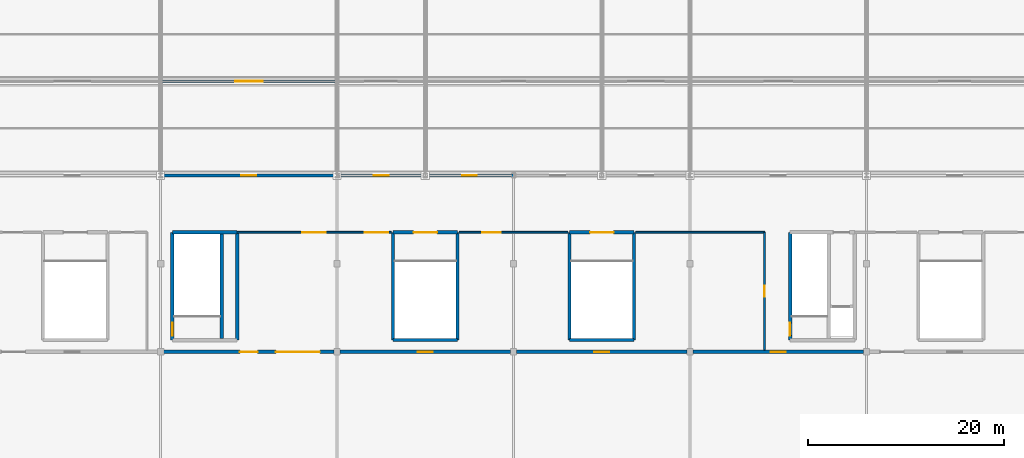
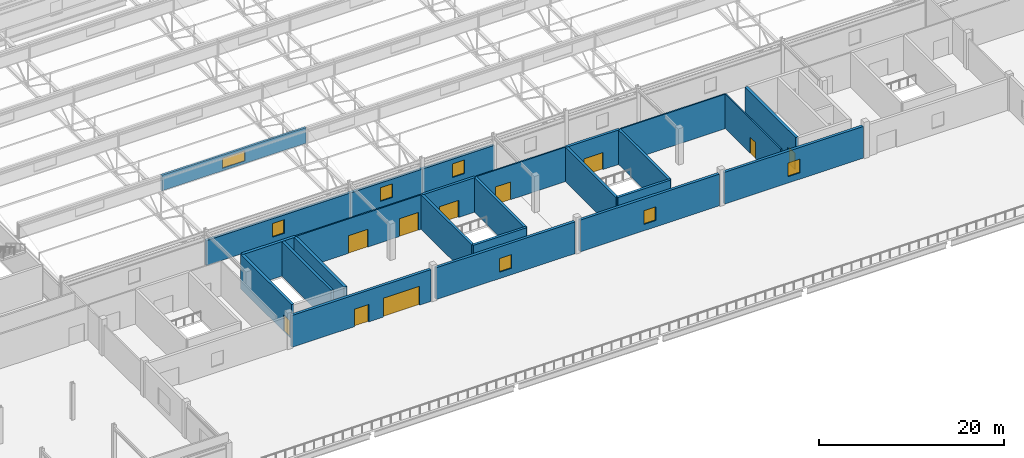
# One storey, part 97 of 136: 25 walls, 10 doors, 7 windows, 17 openings.
"""IFC4 building model written with IfcOpenShell, lengths in metres."""

from ifc_helpers import new_model, si_unit, direction, frame, frame_2d, origin, place, context, subcontext, project, spatial, rectangle, extrude, material, layer, layer_set, type_object, element, fill, save


model = new_model("IFC4")

# Units and contexts
model_context = context("Model", 3, precision=1e-05, world=origin(), true_north=direction((0.0, 1.0)))
body_context = subcontext(model_context, "Body", "Model", "MODEL_VIEW")
ifc_project = project(units=[si_unit("LENGTHUNIT", "METRE"), si_unit("AREAUNIT", "SQUARE_METRE"), si_unit("VOLUMEUNIT", "CUBIC_METRE"), si_unit("PLANEANGLEUNIT", "RADIAN"), si_unit("MASSUNIT", "GRAM", prefix="KILO")], contexts=[model_context])

# Site, building, storey
site_placement = place(None, origin())
site = spatial("IfcSite", under=ifc_project, at=site_placement, CompositionType="ELEMENT")
building_placement = place(site_placement, origin())
building = spatial("IfcBuilding", under=site, at=building_placement, Name="Kisiwana Market Hall", CompositionType="ELEMENT")
storey_placement = place(building_placement, frame((0.0, 0.0, 16.800048828125)))
storey = spatial("IfcBuildingStorey", under=building, at=storey_placement, Name="L03", CompositionType="ELEMENT", Elevation=16.800048828125)

# Walls
ifc_material_1 = material(Name="Concrete C40/50", Category="concrete")
ifc_layer_1 = layer(ifc_material_1, 0.320068359375, Name="Reinforced concrete shaft wall")
ifc_layer_set_1 = layer_set([ifc_layer_1], Name="WL-CORE-320")
wall_type_1 = type_object("IfcWallType", Name="WL-CORE-320", PredefinedType="SHEAR", material=ifc_layer_set_1)
wall_1_placement = place(storey_placement, frame((69.239990234375, 19.3798828125, 0.0), z_axis=(0.0, 0.0, 1.0), x_axis=(0.0, 1.0, 0.0)))
element("IfcWall", 1, at=wall_1_placement, inside=storey, type_object=wall_type_1, Name="Core S1 shaft divider W-1224", PredefinedType="SHEAR", context=body_context, shape_type="SweptSolid", body=[
    extrude(rectangle(XDim=10.64013671875, YDim=0.320068359375, at=frame_2d((5.320068359375, 0.0))), origin(), (0.0, 0.0, 1.0), 4.554931640625),
])
wall_2_placement = place(storey_placement, frame((86.699951171875, 19.199951171875, 0.0), z_axis=(0.0, 0.0, 1.0), x_axis=(1.0, 0.0, 0.0)))
element("IfcWall", 2, at=wall_2_placement, inside=storey, type_object=wall_type_1, Name="Core S4 outer shear wall W-1314", PredefinedType="SHEAR", context=body_context, shape_type="SweptSolid", body=[
    extrude(rectangle(XDim=6.60009765625, YDim=0.320068359375, at=frame_2d((3.300048828125, 0.0))), origin(), (0.0, 0.0, 1.0), 4.554931640625),
])

# Wall, opening, door
wall_3_placement = place(storey_placement, frame((86.699951171875, 30.199951171875, 0.0), z_axis=(0.0, 0.0, 1.0), x_axis=(1.0, 0.0, 0.0)))
wall_3 = element("IfcWall", 3, at=wall_3_placement, inside=storey, type_object=wall_type_1, Name="Core S4 corridor shear wall W-1315", PredefinedType="SHEAR", context=body_context, shape_type="SweptSolid", body=[
    extrude(rectangle(XDim=6.60009765625, YDim=0.320068359375, at=frame_2d((3.300048828125, 0.0))), origin(), (0.0, 0.0, 1.0), 4.554931640625),
])
opening_1_placement = place(wall_3_placement, frame((2.10009765625, 0.0, 0.0)))
opening_1 = element("IfcOpeningElement", 4, at=opening_1_placement, cuts=wall_3, Name="Opening DR-L03-035", PredefinedType="OPENING", context=body_context, shape_type="SweptSolid", body=[
    extrude(rectangle(XDim=2.39990234375, YDim=2.25, at=frame_2d((1.199951171875, 1.125))), frame((0.0, 0.171875, 0.0), z_axis=(0.0, -1.0, 0.0), x_axis=(1.0, 0.0, 0.0)), (0.0, 0.0, 1.0), 0.343994140625),
])
ifc_material_2 = material(Name="Steel S275", Category="steel")
door_type_1 = type_object("IfcDoorType", Name="DR-STAIR-FD120-2400", OperationType="DOUBLE_DOOR_SINGLE_SWING", PredefinedType="DOOR", material=ifc_material_2)
door_1_placement = place(opening_1_placement, frame((2.39990234375, 0.0, 0.0), z_axis=(0.0, 0.0, 1.0), x_axis=(-1.0, 0.0, 0.0)))
door_1 = element("IfcDoor", 5, at=door_1_placement, inside=storey, type_object=door_type_1, Name="Escape Stair S4 Fire Door (L03)", OperationType="DOUBLE_DOOR_SINGLE_SWING", OverallHeight=2.25, OverallWidth=2.39990234375, PredefinedType="DOOR", context=body_context, shape_type="SweptSolid", body=[
    extrude(rectangle(XDim=2.39990234375, YDim=2.25, at=frame_2d((1.199951171875, 1.125))), frame((0.0, 0.02490234375, 0.0), z_axis=(0.0, -1.0, 0.0), x_axis=(1.0, 0.0, 0.0)), (0.0, 0.0, 1.0), 0.050048828125),
])
fill(opening_1, door_1)

# Walls
for number, where, z_axis, x_axis, name in (
    (6, (86.699951171875, 19.199951171875, 0.0), (0.0, 0.0, 1.0), (0.0, 1.0, 0.0), "Core S4 west shear wall W-1316"),
    (7, (93.300048828125, 19.199951171875, 0.0), (0.0, 0.0, 1.0), (0.0, 1.0, 0.0), "Core S4 east shear wall W-1317"),
):
    element("IfcWall", number, at=place(storey_placement, frame(where, z_axis=z_axis, x_axis=x_axis)), inside=storey, type_object=wall_type_1, Name=name, PredefinedType="SHEAR", context=body_context, shape_type="SweptSolid", body=[
        extrude(rectangle(XDim=11.0, YDim=0.320068359375, at=frame_2d((5.5, 0.0))), origin(), (0.0, 0.0, 1.0), 4.554931640625),
    ])
wall_4_placement = place(storey_placement, frame((104.699951171875, 19.199951171875, 0.0), z_axis=(0.0, 0.0, 1.0), x_axis=(1.0, 0.0, 0.0)))
element("IfcWall", 8, at=wall_4_placement, inside=storey, type_object=wall_type_1, Name="Core S5 outer shear wall W-1322", PredefinedType="SHEAR", context=body_context, shape_type="SweptSolid", body=[
    extrude(rectangle(XDim=6.60009765625, YDim=0.320068359375, at=frame_2d((3.300048828125, 0.0))), origin(), (0.0, 0.0, 1.0), 4.554931640625),
])

# Wall, opening, door
wall_5_placement = place(storey_placement, frame((104.699951171875, 30.199951171875, 0.0), z_axis=(0.0, 0.0, 1.0), x_axis=(1.0, 0.0, 0.0)))
wall_5 = element("IfcWall", 9, at=wall_5_placement, inside=storey, type_object=wall_type_1, Name="Core S5 corridor shear wall W-1323", PredefinedType="SHEAR", context=body_context, shape_type="SweptSolid", body=[
    extrude(rectangle(XDim=6.60009765625, YDim=0.320068359375, at=frame_2d((3.300048828125, 0.0))), origin(), (0.0, 0.0, 1.0), 4.554931640625),
])
opening_2_placement = place(wall_5_placement, frame((2.10009765625, 0.0, 0.0)))
opening_2 = element("IfcOpeningElement", 10, at=opening_2_placement, cuts=wall_5, Name="Opening DR-L03-037", PredefinedType="OPENING", context=body_context, shape_type="SweptSolid", body=[
    extrude(rectangle(XDim=2.39990234375, YDim=2.25, at=frame_2d((1.199951171875, 1.125))), frame((0.0, 0.171875, 0.0), z_axis=(0.0, -1.0, 0.0), x_axis=(1.0, 0.0, 0.0)), (0.0, 0.0, 1.0), 0.343994140625),
])
door_2_placement = place(opening_2_placement, frame((2.39990234375, 0.0, 0.0), z_axis=(0.0, 0.0, 1.0), x_axis=(-1.0, 0.0, 0.0)))
door_2 = element("IfcDoor", 11, at=door_2_placement, inside=storey, type_object=door_type_1, Name="Escape Stair S5 Fire Door (L03)", OperationType="DOUBLE_DOOR_SINGLE_SWING", OverallHeight=2.25, OverallWidth=2.39990234375, PredefinedType="DOOR", context=body_context, shape_type="SweptSolid", body=[
    extrude(rectangle(XDim=2.39990234375, YDim=2.25, at=frame_2d((1.199951171875, 1.125))), frame((0.0, 0.02490234375, 0.0), z_axis=(0.0, -1.0, 0.0), x_axis=(1.0, 0.0, 0.0)), (0.0, 0.0, 1.0), 0.050048828125),
])
fill(opening_2, door_2)

# Walls
for number, where, z_axis, x_axis, name in (
    (12, (104.699951171875, 19.199951171875, 0.0), (0.0, 0.0, 1.0), (0.0, 1.0, 0.0), "Core S5 west shear wall W-1324"),
    (13, (111.300048828125, 19.199951171875, 0.0), (0.0, 0.0, 1.0), (0.0, 1.0, 0.0), "Core S5 east shear wall W-1325"),
):
    element("IfcWall", number, at=place(storey_placement, frame(where, z_axis=z_axis, x_axis=x_axis)), inside=storey, type_object=wall_type_1, Name=name, PredefinedType="SHEAR", context=body_context, shape_type="SweptSolid", body=[
        extrude(rectangle(XDim=11.0, YDim=0.320068359375, at=frame_2d((5.5, 0.0))), origin(), (0.0, 0.0, 1.0), 4.554931640625),
    ])
ifc_material_3 = material(Name="Concrete C40/50", Category="concrete")
ifc_layer_2 = layer(ifc_material_3, 0.360107421875, Name="Reinforced concrete core wall")
ifc_layer_set_2 = layer_set([ifc_layer_2], Name="WL-CORE-360")
wall_type_2 = type_object("IfcWallType", Name="WL-CORE-360", PredefinedType="SHEAR", material=ifc_layer_set_2)
wall_6_placement = place(storey_placement, frame((64.199951171875, 30.199951171875, 0.0), z_axis=(0.0, 0.0, 1.0), x_axis=(1.0, 0.0, 0.0)))
element("IfcWall", 14, at=wall_6_placement, inside=storey, type_object=wall_type_2, Name="Core S1 north wall W-1221", PredefinedType="SHEAR", context=body_context, shape_type="SweptSolid", body=[
    extrude(rectangle(XDim=6.60009765625, YDim=0.360107421875, at=frame_2d((3.300048828125, 0.0))), origin(), (0.0, 0.0, 1.0), 4.554931640625),
])

# Wall, opening, door
wall_7_placement = place(storey_placement, frame((64.199951171875, 19.199951171875, 0.0), z_axis=(0.0, 0.0, 1.0), x_axis=(0.0, 1.0, 0.0)))
wall_7 = element("IfcWall", 15, at=wall_7_placement, inside=storey, type_object=wall_type_2, Name="Core S1 west wall W-1222", PredefinedType="SHEAR", context=body_context, shape_type="SweptSolid", body=[
    extrude(rectangle(XDim=11.0, YDim=0.360107421875, at=frame_2d((5.5, 0.0))), origin(), (0.0, 0.0, 1.0), 4.554931640625),
])
opening_3_placement = place(wall_7_placement, frame((0.449951171875, 0.0, 0.0)))
opening_3 = element("IfcOpeningElement", 16, at=opening_3_placement, cuts=wall_7, Name="Opening DR-L03-013", PredefinedType="OPENING", context=body_context, shape_type="SweptSolid", body=[
    extrude(rectangle(XDim=1.300048828125, YDim=2.199951171875, at=frame_2d((0.64990234375, 1.10009765625))), frame((0.0, 0.19189453125, 0.0), z_axis=(0.0, -1.0, 0.0), x_axis=(1.0, 0.0, 0.0)), (0.0, 0.0, 1.0), 0.384033203125),
])
ifc_material_4 = material(Name="Steel S275", Category="steel")
door_type_2 = type_object("IfcDoorType", Name="DR-STAIR-FD120-1300", OperationType="NOTDEFINED", PredefinedType="DOOR", material=ifc_material_4)
door_3_placement = place(opening_3_placement, origin())
door_3 = element("IfcDoor", 17, at=door_3_placement, inside=storey, type_object=door_type_2, Name="Podium Escape Stair S1 Fire Door (L03)", OperationType="SINGLE_SWING_LEFT", OverallHeight=2.199951171875, OverallWidth=1.300048828125, PredefinedType="DOOR", context=body_context, shape_type="SweptSolid", body=[
    extrude(rectangle(XDim=1.300048828125, YDim=2.199951171875, at=frame_2d((0.64990234375, 1.10009765625))), frame((0.0, 0.02490234375, 0.0), z_axis=(0.0, -1.0, 0.0), x_axis=(1.0, 0.0, 0.0)), (0.0, 0.0, 1.0), 0.050048828125),
])
fill(opening_3, door_3)

# Wall
wall_8_placement = place(storey_placement, frame((70.800048828125, 19.199951171875, 0.0), z_axis=(0.0, 0.0, 1.0), x_axis=(0.0, 1.0, 0.0)))
element("IfcWall", 18, at=wall_8_placement, inside=storey, type_object=wall_type_2, Name="Core S1 east wall W-1223", PredefinedType="SHEAR", context=body_context, shape_type="SweptSolid", body=[
    extrude(rectangle(XDim=11.0, YDim=0.360107421875, at=frame_2d((5.5, 0.0))), origin(), (0.0, 0.0, 1.0), 4.554931640625),
])

# Wall, opening, door
wall_9_placement = place(storey_placement, frame((127.199951171875, 19.199951171875, 0.0), z_axis=(0.0, 0.0, 1.0), x_axis=(0.0, 1.0, 0.0)))
wall_9 = element("IfcWall", 19, at=wall_9_placement, inside=storey, type_object=wall_type_2, Name="Core S2 west wall W-1227", PredefinedType="SHEAR", context=body_context, shape_type="SweptSolid", body=[
    extrude(rectangle(XDim=11.0, YDim=0.360107421875, at=frame_2d((5.5, 0.0))), origin(), (0.0, 0.0, 1.0), 4.554931640625),
])
opening_4_placement = place(wall_9_placement, frame((0.449951171875, 0.0, 0.0)))
opening_4 = element("IfcOpeningElement", 20, at=opening_4_placement, cuts=wall_9, Name="Opening DR-L03-014", PredefinedType="OPENING", context=body_context, shape_type="SweptSolid", body=[
    extrude(rectangle(XDim=1.300048828125, YDim=2.199951171875, at=frame_2d((0.64990234375, 1.10009765625))), frame((0.0, 0.19189453125, 0.0), z_axis=(0.0, -1.0, 0.0), x_axis=(1.0, 0.0, 0.0)), (0.0, 0.0, 1.0), 0.384033203125),
])
door_4_placement = place(opening_4_placement, origin())
door_4 = element("IfcDoor", 21, at=door_4_placement, inside=storey, type_object=door_type_2, Name="Podium Escape Stair S2 Fire Door (L03)", OperationType="SINGLE_SWING_LEFT", OverallHeight=2.199951171875, OverallWidth=1.300048828125, PredefinedType="DOOR", context=body_context, shape_type="SweptSolid", body=[
    extrude(rectangle(XDim=1.300048828125, YDim=2.199951171875, at=frame_2d((0.64990234375, 1.10009765625))), frame((0.0, 0.02490234375, 0.0), z_axis=(0.0, -1.0, 0.0), x_axis=(1.0, 0.0, 0.0)), (0.0, 0.0, 1.0), 0.050048828125),
])
fill(opening_4, door_4)

ifc_material_5 = material(Name="Masonry blockwork", Category="masonry")
ifc_layer_3 = layer(ifc_material_5, 0.169921875, Name="Protected corridor partition")
ifc_layer_set_3 = layer_set([ifc_layer_3], Name="WL-CORR-170")
wall_type_3 = type_object("IfcWallType", Name="WL-CORR-170", PredefinedType="PARTITIONING", material=ifc_layer_set_3)
wall_10_placement = place(storey_placement, frame((124.60009765625, 18.169921875, 0.0), z_axis=(0.0, 0.0, 1.0), x_axis=(0.0, 1.0, 0.0)))
wall_10 = element("IfcWall", 22, at=wall_10_placement, inside=storey, type_object=wall_type_3, Name="Interior partition W-1495", PredefinedType="PARTITIONING", context=body_context, shape_type="SweptSolid", body=[
    extrude(rectangle(XDim=12.030029296875, YDim=0.169921875, at=frame_2d((6.01513671875, 0.0))), origin(), (0.0, 0.0, 1.0), 4.554931640625),
])
opening_5_placement = place(wall_10_placement, frame((5.449951171875, 0.0, 0.0)))
opening_5 = element("IfcOpeningElement", 23, at=opening_5_placement, cuts=wall_10, Name="Opening DR-L03-088", PredefinedType="OPENING", context=body_context, shape_type="SweptSolid", body=[
    extrude(rectangle(XDim=1.14990234375, YDim=2.14990234375, at=frame_2d((0.574951171875, 1.074951171875))), frame((0.0, 0.096923828125, 0.0), z_axis=(0.0, -1.0, 0.0), x_axis=(1.0, 0.0, 0.0)), (0.0, 0.0, 1.0), 0.19384765625),
])
ifc_material_6 = material(Name="Aluminium alloy 6063-T6", Category="aluminium")
door_type_3 = type_object("IfcDoorType", Name="DR-MEET-1150", OperationType="NOTDEFINED", PredefinedType="DOOR", material=ifc_material_6)
door_5_placement = place(opening_5_placement, origin())
door_5 = element("IfcDoor", 24, at=door_5_placement, inside=storey, type_object=door_type_3, Name="L03 E South Podium Seminar Room Door", OperationType="SINGLE_SWING_LEFT", OverallHeight=2.14990234375, OverallWidth=1.14990234375, PredefinedType="DOOR", context=body_context, shape_type="SweptSolid", body=[
    extrude(rectangle(XDim=1.14990234375, YDim=2.14990234375, at=frame_2d((0.574951171875, 1.074951171875))), frame((0.0, 0.02490234375, 0.0), z_axis=(0.0, -1.0, 0.0), x_axis=(1.0, 0.0, 0.0)), (0.0, 0.0, 1.0), 0.050048828125),
])
fill(opening_5, door_5)

# Wall, openings, doors
wall_11_placement = place(storey_placement, frame((70.800048828125, 30.199951171875, 0.0), z_axis=(0.0, 0.0, 1.0), x_axis=(1.0, 0.0, 0.0)))
wall_11 = element("IfcWall", 25, at=wall_11_placement, inside=storey, type_object=wall_type_3, Name="Interior partition W-1496", PredefinedType="PARTITIONING", context=body_context, shape_type="SweptSolid", body=[
    extrude(rectangle(XDim=15.739990234375, YDim=0.169921875, at=frame_2d((7.8701171875, 0.0))), origin(), (0.0, 0.0, 1.0), 4.554931640625),
])
opening_6_placement = place(wall_11_placement, frame((13.0, 0.0, 0.0)))
opening_6 = element("IfcOpeningElement", 26, at=opening_6_placement, cuts=wall_11, Name="Opening DR-L03-089", PredefinedType="OPENING", context=body_context, shape_type="SweptSolid", body=[
    extrude(rectangle(XDim=2.39990234375, YDim=2.35009765625, at=frame_2d((1.199951171875, 1.175048828125))), frame((0.0, 0.096923828125, 0.0), z_axis=(0.0, -1.0, 0.0), x_axis=(1.0, 0.0, 0.0)), (0.0, 0.0, 1.0), 0.19384765625),
])
opening_7_placement = place(wall_11_placement, frame((6.669921875, 0.0, 0.0)))
opening_7 = element("IfcOpeningElement", 27, at=opening_7_placement, cuts=wall_11, Name="Opening DR-L03-090", PredefinedType="OPENING", context=body_context, shape_type="SweptSolid", body=[
    extrude(rectangle(XDim=2.39990234375, YDim=2.35009765625, at=frame_2d((1.199951171875, 1.175048828125))), frame((0.0, 0.096923828125, 0.0), z_axis=(0.0, -1.0, 0.0), x_axis=(1.0, 0.0, 0.0)), (0.0, 0.0, 1.0), 0.19384765625),
])
ifc_material_7 = material(Name="Steel S275", Category="steel")
door_type_4 = type_object("IfcDoorType", Name="DR-HALL-2400", OperationType="DOUBLE_DOOR_SINGLE_SWING", PredefinedType="DOOR", material=ifc_material_7)
door_6_placement = place(opening_6_placement, frame((2.39990234375, 0.0, 0.0), z_axis=(0.0, 0.0, 1.0), x_axis=(-1.0, 0.0, 0.0)))
door_6 = element("IfcDoor", 28, at=door_6_placement, inside=storey, type_object=door_type_4, Name="L03 South Seminar Room Second Door", OperationType="DOUBLE_DOOR_SINGLE_SWING", OverallHeight=2.35009765625, OverallWidth=2.39990234375, PredefinedType="DOOR", context=body_context, shape_type="SweptSolid", body=[
    extrude(rectangle(XDim=2.39990234375, YDim=2.35009765625, at=frame_2d((1.199951171875, 1.175048828125))), frame((0.0, 0.02490234375, 0.0), z_axis=(0.0, -1.0, 0.0), x_axis=(1.0, 0.0, 0.0)), (0.0, 0.0, 1.0), 0.050048828125),
])
fill(opening_6, door_6)
door_7_placement = place(opening_7_placement, frame((2.39990234375, 0.0, 0.0), z_axis=(0.0, 0.0, 1.0), x_axis=(-1.0, 0.0, 0.0)))
door_7 = element("IfcDoor", 29, at=door_7_placement, inside=storey, type_object=door_type_4, Name="L03 South Seminar Room Third Door", OperationType="DOUBLE_DOOR_SINGLE_SWING", OverallHeight=2.35009765625, OverallWidth=2.39990234375, PredefinedType="DOOR", context=body_context, shape_type="SweptSolid", body=[
    extrude(rectangle(XDim=2.39990234375, YDim=2.35009765625, at=frame_2d((1.199951171875, 1.175048828125))), frame((0.0, 0.02490234375, 0.0), z_axis=(0.0, -1.0, 0.0), x_axis=(1.0, 0.0, 0.0)), (0.0, 0.0, 1.0), 0.050048828125),
])
fill(opening_7, door_7)

# Wall, opening, door
wall_12_placement = place(storey_placement, frame((93.4599609375, 30.199951171875, 0.0), z_axis=(0.0, 0.0, 1.0), x_axis=(1.0, 0.0, 0.0)))
wall_12 = element("IfcWall", 30, at=wall_12_placement, inside=storey, type_object=wall_type_3, Name="Interior partition W-1497", PredefinedType="PARTITIONING", context=body_context, shape_type="SweptSolid", body=[
    extrude(rectangle(XDim=11.080078125, YDim=0.169921875, at=frame_2d((5.5400390625, 0.0))), origin(), (0.0, 0.0, 1.0), 4.554931640625),
])
opening_8_placement = place(wall_12_placement, frame((2.340087890625, 0.0, 0.0)))
opening_8 = element("IfcOpeningElement", 31, at=opening_8_placement, cuts=wall_12, Name="Opening DR-L03-091", PredefinedType="OPENING", context=body_context, shape_type="SweptSolid", body=[
    extrude(rectangle(XDim=1.89990234375, YDim=2.35009765625, at=frame_2d((0.949951171875, 1.175048828125))), frame((0.0, 0.096923828125, 0.0), z_axis=(0.0, -1.0, 0.0), x_axis=(1.0, 0.0, 0.0)), (0.0, 0.0, 1.0), 0.19384765625),
])
ifc_material_8 = material(Name="Steel S275", Category="steel")
door_type_5 = type_object("IfcDoorType", Name="DR-HALL-1900", OperationType="DOUBLE_DOOR_SINGLE_SWING", PredefinedType="DOOR", material=ifc_material_8)
door_8_placement = place(opening_8_placement, frame((1.89990234375, 0.0, 0.0), z_axis=(0.0, 0.0, 1.0), x_axis=(-1.0, 0.0, 0.0)))
door_8 = element("IfcDoor", 32, at=door_8_placement, inside=storey, type_object=door_type_5, Name="L03 South Seminar Room Door", OperationType="DOUBLE_DOOR_SINGLE_SWING", OverallHeight=2.35009765625, OverallWidth=1.89990234375, PredefinedType="DOOR", context=body_context, shape_type="SweptSolid", body=[
    extrude(rectangle(XDim=1.89990234375, YDim=2.35009765625, at=frame_2d((0.949951171875, 1.175048828125))), frame((0.0, 0.02490234375, 0.0), z_axis=(0.0, -1.0, 0.0), x_axis=(1.0, 0.0, 0.0)), (0.0, 0.0, 1.0), 0.050048828125),
])
fill(opening_8, door_8)

# Wall
wall_13_placement = place(storey_placement, frame((111.4599609375, 30.199951171875, 0.0), z_axis=(0.0, 0.0, 1.0), x_axis=(1.0, 0.0, 0.0)))
element("IfcWall", 33, at=wall_13_placement, inside=storey, type_object=wall_type_3, Name="Interior partition W-1498", PredefinedType="PARTITIONING", context=body_context, shape_type="SweptSolid", body=[
    extrude(rectangle(XDim=13.14013671875, YDim=0.169921875, at=frame_2d((6.570068359375, 0.0))), origin(), (0.0, 0.0, 1.0), 4.554931640625),
])

# Wall, opening, window
ifc_material_9 = material(Name="Aluminium alloy 6063-T6", Category="aluminium")
ifc_layer_4 = layer(ifc_material_9, 0.06005859375, Name="Insulated metal-clad clerestory wall")
ifc_material_10 = material(Name="Mineral wool insulation")
ifc_layer_5 = layer(ifc_material_10, 0.10009765625, Name="Mineral wool core")
ifc_material_11 = material(Name="Masonry blockwork", Category="masonry")
ifc_layer_6 = layer(ifc_material_11, 0.10009765625, Name="Masonry backing")
ifc_layer_set_4 = layer_set([ifc_layer_4, ifc_layer_5, ifc_layer_6], Name="WL-EXT-CLER-260")
wall_type_4 = type_object("IfcWallType", Name="WL-EXT-CLER-260", PredefinedType="STANDARD", material=ifc_layer_set_4)
wall_14_placement = place(storey_placement, frame((63.0, 45.60009765625, 4.0048828125), z_axis=(0.0, 0.0, 1.0), x_axis=(1.0, 0.0, 0.0)))
wall_14 = element("IfcWall", 34, at=wall_14_placement, inside=storey, type_object=wall_type_4, Name="Sawtooth clerestory wall W-1411", PredefinedType="STANDARD", context=body_context, shape_type="SweptSolid", body=[
    extrude(rectangle(XDim=18.0, YDim=0.260009765625, at=frame_2d((9.0, 0.0))), origin(), (0.0, 0.0, 1.0), 2.049072265625),
])
opening_9_placement = place(wall_14_placement, frame((7.60009765625, 0.0, 0.320068359375)))
opening_9 = element("IfcOpeningElement", 35, at=opening_9_placement, cuts=wall_14, Name="Opening WN-26", PredefinedType="OPENING", context=body_context, shape_type="SweptSolid", body=[
    extrude(rectangle(XDim=2.800048828125, YDim=1.35009765625, at=frame_2d((1.39990234375, 0.675048828125))), frame((0.0, 0.14208984375, 0.0), z_axis=(0.0, -1.0, 0.0), x_axis=(1.0, 0.0, 0.0)), (0.0, 0.0, 1.0), 0.283935546875),
])
ifc_material_12 = material(Name="Double-glazed solar-control low-E IGU", Category="glass")
window_type_1 = type_object("IfcWindowType", Name="WN-CLER-2800x1500", PartitioningType="SINGLE_PANEL", PredefinedType="SKYLIGHT", material=ifc_material_12)
window_1_placement = place(opening_9_placement, origin())
window_1 = element("IfcWindow", 36, at=window_1_placement, inside=storey, type_object=window_type_1, Name="North-light sawtooth clerestory WN-136", OverallHeight=1.35009765625, OverallWidth=2.800048828125, PartitioningType="SINGLE_PANEL", PredefinedType="SKYLIGHT", context=body_context, shape_type="SweptSolid", body=[
    extrude(rectangle(XDim=2.800048828125, YDim=1.35009765625, at=frame_2d((1.39990234375, 0.675048828125))), frame((0.0, 0.030029296875, 0.0), z_axis=(0.0, -1.0, 0.0), x_axis=(1.0, 0.0, 0.0)), (0.0, 0.0, 1.0), 0.06005859375),
])
fill(opening_9, window_1)

# Wall, openings, doors
ifc_material_13 = material(Name="Concrete C40/50 precast", Category="concrete")
ifc_layer_7 = layer(ifc_material_13, 0.14990234375, Name="Precast architectural concrete spandrel")
ifc_material_14 = material(Name="Mineral wool insulation")
ifc_layer_8 = layer(ifc_material_14, 0.090087890625, Name="Rockwool thermal insulation")
ifc_material_15 = material(Name="Masonry blockwork", Category="masonry")
ifc_layer_9 = layer(ifc_material_15, 0.10009765625, Name="Inner masonry block leaf")
ifc_layer_set_5 = layer_set([ifc_layer_7, ifc_layer_8, ifc_layer_9], Name="WL-EXT-PREC-340")
wall_type_5 = type_object("IfcWallType", Name="WL-EXT-PREC-340", PredefinedType="STANDARD", material=ifc_layer_set_5)
wall_15_placement = place(storey_placement, frame((63.31689453125, 18.0, 0.0), z_axis=(0.0, 0.0, 1.0), x_axis=(1.0, 0.0, 0.0)))
wall_15 = element("IfcWall", 37, at=wall_15_placement, inside=storey, type_object=wall_type_5, Name="Exterior wall W-1347", PredefinedType="STANDARD", context=body_context, shape_type="SweptSolid", body=[
    extrude(rectangle(XDim=17.3662109375, YDim=0.340087890625, at=frame_2d((8.68310546875, 0.0))), origin(), (0.0, 0.0, 1.0), 4.195068359375),
])
opening_10_placement = place(wall_15_placement, frame((7.782958984375, 0.0, 0.0)))
opening_10 = element("IfcOpeningElement", 38, at=opening_10_placement, cuts=wall_15, Name="Opening DR-L03-976", PredefinedType="OPENING", context=body_context, shape_type="SweptSolid", body=[
    extrude(rectangle(XDim=1.800048828125, YDim=2.300048828125, at=frame_2d((0.89990234375, 1.14990234375))), frame((0.0, 0.18212890625, 0.0), z_axis=(0.0, -1.0, 0.0), x_axis=(1.0, 0.0, 0.0)), (0.0, 0.0, 1.0), 0.364013671875),
])
opening_11_placement = place(wall_15_placement, frame((11.43310546875, 0.0, 0.0)))
opening_11 = element("IfcOpeningElement", 39, at=opening_11_placement, cuts=wall_15, Name="Opening DR-L03-979", PredefinedType="OPENING", context=body_context, shape_type="SweptSolid", body=[
    extrude(rectangle(XDim=4.5, YDim=2.5, at=frame_2d((2.25, 1.25))), frame((0.0, 0.18212890625, 0.0), z_axis=(0.0, -1.0, 0.0), x_axis=(1.0, 0.0, 0.0)), (0.0, 0.0, 1.0), 0.364013671875),
])
ifc_material_16 = material(Name="Aluminium alloy 6063-T6", Category="aluminium")
door_type_6 = type_object("IfcDoorType", Name="DR-EXT-TERR-1800", OperationType="DOUBLE_DOOR_SINGLE_SWING", PredefinedType="DOOR", material=ifc_material_16)
door_9_placement = place(opening_10_placement, origin())
door_9 = element("IfcDoor", 40, at=door_9_placement, inside=storey, type_object=door_type_6, Name="Exterior terrace access door DR-L03-976", OperationType="DOUBLE_DOOR_SINGLE_SWING", OverallHeight=2.300048828125, OverallWidth=1.800048828125, PredefinedType="DOOR", context=body_context, shape_type="SweptSolid", body=[
    extrude(rectangle(XDim=1.800048828125, YDim=2.300048828125, at=frame_2d((0.89990234375, 1.14990234375))), frame((0.0, 0.02490234375, 0.0), z_axis=(0.0, -1.0, 0.0), x_axis=(1.0, 0.0, 0.0)), (0.0, 0.0, 1.0), 0.050048828125),
])
fill(opening_10, door_9)
ifc_material_17 = material(Name="Aluminium alloy 6063-T6", Category="aluminium")
door_type_7 = type_object("IfcDoorType", Name="DR-EXT-TERR-4500", OperationType="DOUBLE_DOOR_SLIDING", PredefinedType="DOOR", material=ifc_material_17)
door_10_placement = place(opening_11_placement, origin())
door_10 = element("IfcDoor", 41, at=door_10_placement, inside=storey, type_object=door_type_7, Name="Exterior terrace access door DR-L03-979", OperationType="DOUBLE_DOOR_SLIDING", OverallHeight=2.5, OverallWidth=4.5, PredefinedType="DOOR", context=body_context, shape_type="SweptSolid", body=[
    extrude(rectangle(XDim=4.5, YDim=2.5, at=frame_2d((2.25, 1.25))), frame((0.0, 0.02490234375, 0.0), z_axis=(0.0, -1.0, 0.0), x_axis=(1.0, 0.0, 0.0)), (0.0, 0.0, 1.0), 0.050048828125),
])
fill(opening_11, door_10)

# Wall, opening, window
wall_16_placement = place(storey_placement, frame((81.31689453125, 18.0, 0.0), z_axis=(0.0, 0.0, 1.0), x_axis=(1.0, 0.0, 0.0)))
wall_16 = element("IfcWall", 42, at=wall_16_placement, inside=storey, type_object=wall_type_5, Name="Exterior wall W-1348", PredefinedType="STANDARD", context=body_context, shape_type="SweptSolid", body=[
    extrude(rectangle(XDim=17.3662109375, YDim=0.340087890625, at=frame_2d((8.68310546875, 0.0))), origin(), (0.0, 0.0, 1.0), 4.195068359375),
])
opening_12_placement = place(wall_16_placement, frame((7.93310546875, 0.0, 0.85009765625)))
opening_12 = element("IfcOpeningElement", 43, at=opening_12_placement, cuts=wall_16, Name="Opening WN-14", PredefinedType="OPENING", context=body_context, shape_type="SweptSolid", body=[
    extrude(rectangle(XDim=1.5, YDim=1.800048828125, at=frame_2d((0.75, 0.89990234375))), frame((0.0, 0.18212890625, 0.0), z_axis=(0.0, -1.0, 0.0), x_axis=(1.0, 0.0, 0.0)), (0.0, 0.0, 1.0), 0.364013671875),
])
ifc_material_18 = material(Name="Double-glazed solar-control low-E IGU", Category="glass")
window_type_2 = type_object("IfcWindowType", Name="WN-POD-1500x1800", PartitioningType="SINGLE_PANEL", PredefinedType="WINDOW", material=ifc_material_18)
window_2_placement = place(opening_12_placement, origin())
window_2 = element("IfcWindow", 44, at=window_2_placement, inside=storey, type_object=window_type_2, Name="Exterior window WN-079", OverallHeight=1.800048828125, OverallWidth=1.5, PartitioningType="SINGLE_PANEL", PredefinedType="WINDOW", context=body_context, shape_type="SweptSolid", body=[
    extrude(rectangle(XDim=1.5, YDim=1.800048828125, at=frame_2d((0.75, 0.89990234375))), frame((0.0, 0.030029296875, 0.0), z_axis=(0.0, -1.0, 0.0), x_axis=(1.0, 0.0, 0.0)), (0.0, 0.0, 1.0), 0.06005859375),
])
fill(opening_12, window_2)

wall_17_placement = place(storey_placement, frame((99.31689453125, 18.0, 0.0), z_axis=(0.0, 0.0, 1.0), x_axis=(1.0, 0.0, 0.0)))
wall_17 = element("IfcWall", 45, at=wall_17_placement, inside=storey, type_object=wall_type_5, Name="Exterior wall W-1349", PredefinedType="STANDARD", context=body_context, shape_type="SweptSolid", body=[
    extrude(rectangle(XDim=17.3662109375, YDim=0.340087890625, at=frame_2d((8.68310546875, 0.0))), origin(), (0.0, 0.0, 1.0), 4.195068359375),
])
opening_13_placement = place(wall_17_placement, frame((7.93310546875, 0.0, 0.85009765625)))
opening_13 = element("IfcOpeningElement", 46, at=opening_13_placement, cuts=wall_17, Name="Opening WN-14", PredefinedType="OPENING", context=body_context, shape_type="SweptSolid", body=[
    extrude(rectangle(XDim=1.5, YDim=1.800048828125, at=frame_2d((0.75, 0.89990234375))), frame((0.0, 0.18212890625, 0.0), z_axis=(0.0, -1.0, 0.0), x_axis=(1.0, 0.0, 0.0)), (0.0, 0.0, 1.0), 0.364013671875),
])
window_3_placement = place(opening_13_placement, origin())
window_3 = element("IfcWindow", 47, at=window_3_placement, inside=storey, type_object=window_type_2, Name="Exterior window WN-080", OverallHeight=1.800048828125, OverallWidth=1.5, PartitioningType="SINGLE_PANEL", PredefinedType="WINDOW", context=body_context, shape_type="SweptSolid", body=[
    extrude(rectangle(XDim=1.5, YDim=1.800048828125, at=frame_2d((0.75, 0.89990234375))), frame((0.0, 0.030029296875, 0.0), z_axis=(0.0, -1.0, 0.0), x_axis=(1.0, 0.0, 0.0)), (0.0, 0.0, 1.0), 0.06005859375),
])
fill(opening_13, window_3)

wall_18_placement = place(storey_placement, frame((117.31689453125, 18.0, 0.0), z_axis=(0.0, 0.0, 1.0), x_axis=(1.0, 0.0, 0.0)))
wall_18 = element("IfcWall", 48, at=wall_18_placement, inside=storey, type_object=wall_type_5, Name="Exterior wall W-1350", PredefinedType="STANDARD", context=body_context, shape_type="SweptSolid", body=[
    extrude(rectangle(XDim=17.3662109375, YDim=0.340087890625, at=frame_2d((8.68310546875, 0.0))), origin(), (0.0, 0.0, 1.0), 4.195068359375),
])
opening_14_placement = place(wall_18_placement, frame((7.93310546875, 0.0, 0.85009765625)))
opening_14 = element("IfcOpeningElement", 49, at=opening_14_placement, cuts=wall_18, Name="Opening WN-14", PredefinedType="OPENING", context=body_context, shape_type="SweptSolid", body=[
    extrude(rectangle(XDim=1.5, YDim=1.800048828125, at=frame_2d((0.75, 0.89990234375))), frame((0.0, 0.18212890625, 0.0), z_axis=(0.0, -1.0, 0.0), x_axis=(1.0, 0.0, 0.0)), (0.0, 0.0, 1.0), 0.364013671875),
])
window_4_placement = place(opening_14_placement, origin())
window_4 = element("IfcWindow", 50, at=window_4_placement, inside=storey, type_object=window_type_2, Name="Exterior window WN-081", OverallHeight=1.800048828125, OverallWidth=1.5, PartitioningType="SINGLE_PANEL", PredefinedType="WINDOW", context=body_context, shape_type="SweptSolid", body=[
    extrude(rectangle(XDim=1.5, YDim=1.800048828125, at=frame_2d((0.75, 0.89990234375))), frame((0.0, 0.030029296875, 0.0), z_axis=(0.0, -1.0, 0.0), x_axis=(1.0, 0.0, 0.0)), (0.0, 0.0, 1.0), 0.06005859375),
])
fill(opening_14, window_4)

wall_19_placement = place(storey_placement, frame((63.010009765625, 36.0, 0.0), z_axis=(0.0, 0.0, 1.0), x_axis=(1.0, 0.0, 0.0)))
wall_19 = element("IfcWall", 51, at=wall_19_placement, inside=storey, type_object=wall_type_5, Name="Exterior wall W-1353", PredefinedType="STANDARD", context=body_context, shape_type="SweptSolid", body=[
    extrude(rectangle(XDim=17.97998046875, YDim=0.340087890625, at=frame_2d((8.989990234375, 0.0))), origin(), (0.0, 0.0, 1.0), 3.27685546875),
])
opening_15_placement = place(wall_19_placement, frame((8.239990234375, 0.0, 0.85009765625)))
opening_15 = element("IfcOpeningElement", 52, at=opening_15_placement, cuts=wall_19, Name="Opening WN-14", PredefinedType="OPENING", context=body_context, shape_type="SweptSolid", body=[
    extrude(rectangle(XDim=1.5, YDim=1.800048828125, at=frame_2d((0.75, 0.89990234375))), frame((0.0, 0.18212890625, 0.0), z_axis=(0.0, -1.0, 0.0), x_axis=(1.0, 0.0, 0.0)), (0.0, 0.0, 1.0), 0.364013671875),
])
window_5_placement = place(opening_15_placement, origin())
window_5 = element("IfcWindow", 53, at=window_5_placement, inside=storey, type_object=window_type_2, Name="Exterior window WN-084", OverallHeight=1.800048828125, OverallWidth=1.5, PartitioningType="SINGLE_PANEL", PredefinedType="WINDOW", context=body_context, shape_type="SweptSolid", body=[
    extrude(rectangle(XDim=1.5, YDim=1.800048828125, at=frame_2d((0.75, 0.89990234375))), frame((0.0, 0.030029296875, 0.0), z_axis=(0.0, -1.0, 0.0), x_axis=(1.0, 0.0, 0.0)), (0.0, 0.0, 1.0), 0.06005859375),
])
fill(opening_15, window_5)

wall_20_placement = place(storey_placement, frame((81.010009765625, 36.0, 0.0), z_axis=(0.0, 0.0, 1.0), x_axis=(1.0, 0.0, 0.0)))
wall_20 = element("IfcWall", 54, at=wall_20_placement, inside=storey, type_object=wall_type_5, Name="Exterior wall W-1354", PredefinedType="STANDARD", context=body_context, shape_type="SweptSolid", body=[
    extrude(rectangle(XDim=8.97998046875, YDim=0.340087890625, at=frame_2d((4.489990234375, 0.0))), origin(), (0.0, 0.0, 1.0), 3.27685546875),
])
opening_16_placement = place(wall_20_placement, frame((3.739990234375, 0.0, 0.85009765625)))
opening_16 = element("IfcOpeningElement", 55, at=opening_16_placement, cuts=wall_20, Name="Opening WN-14", PredefinedType="OPENING", context=body_context, shape_type="SweptSolid", body=[
    extrude(rectangle(XDim=1.5, YDim=1.800048828125, at=frame_2d((0.75, 0.89990234375))), frame((0.0, 0.18212890625, 0.0), z_axis=(0.0, -1.0, 0.0), x_axis=(1.0, 0.0, 0.0)), (0.0, 0.0, 1.0), 0.364013671875),
])
window_6_placement = place(opening_16_placement, origin())
window_6 = element("IfcWindow", 56, at=window_6_placement, inside=storey, type_object=window_type_2, Name="Exterior window WN-085", OverallHeight=1.800048828125, OverallWidth=1.5, PartitioningType="SINGLE_PANEL", PredefinedType="WINDOW", context=body_context, shape_type="SweptSolid", body=[
    extrude(rectangle(XDim=1.5, YDim=1.800048828125, at=frame_2d((0.75, 0.89990234375))), frame((0.0, 0.030029296875, 0.0), z_axis=(0.0, -1.0, 0.0), x_axis=(1.0, 0.0, 0.0)), (0.0, 0.0, 1.0), 0.06005859375),
])
fill(opening_16, window_6)

wall_21_placement = place(storey_placement, frame((90.010009765625, 36.0, 0.0), z_axis=(0.0, 0.0, 1.0), x_axis=(1.0, 0.0, 0.0)))
wall_21 = element("IfcWall", 57, at=wall_21_placement, inside=storey, type_object=wall_type_5, Name="Exterior wall W-1355", PredefinedType="STANDARD", context=body_context, shape_type="SweptSolid", body=[
    extrude(rectangle(XDim=8.97998046875, YDim=0.340087890625, at=frame_2d((4.489990234375, 0.0))), origin(), (0.0, 0.0, 1.0), 3.27685546875),
])
opening_17_placement = place(wall_21_placement, frame((3.739990234375, 0.0, 0.85009765625)))
opening_17 = element("IfcOpeningElement", 58, at=opening_17_placement, cuts=wall_21, Name="Opening WN-14", PredefinedType="OPENING", context=body_context, shape_type="SweptSolid", body=[
    extrude(rectangle(XDim=1.5, YDim=1.800048828125, at=frame_2d((0.75, 0.89990234375))), frame((0.0, 0.18212890625, 0.0), z_axis=(0.0, -1.0, 0.0), x_axis=(1.0, 0.0, 0.0)), (0.0, 0.0, 1.0), 0.364013671875),
])
window_7_placement = place(opening_17_placement, origin())
window_7 = element("IfcWindow", 59, at=window_7_placement, inside=storey, type_object=window_type_2, Name="Exterior window WN-086", OverallHeight=1.800048828125, OverallWidth=1.5, PartitioningType="SINGLE_PANEL", PredefinedType="WINDOW", context=body_context, shape_type="SweptSolid", body=[
    extrude(rectangle(XDim=1.5, YDim=1.800048828125, at=frame_2d((0.75, 0.89990234375))), frame((0.0, 0.030029296875, 0.0), z_axis=(0.0, -1.0, 0.0), x_axis=(1.0, 0.0, 0.0)), (0.0, 0.0, 1.0), 0.06005859375),
])
fill(opening_17, window_7)

save(model, "model.ifc")
